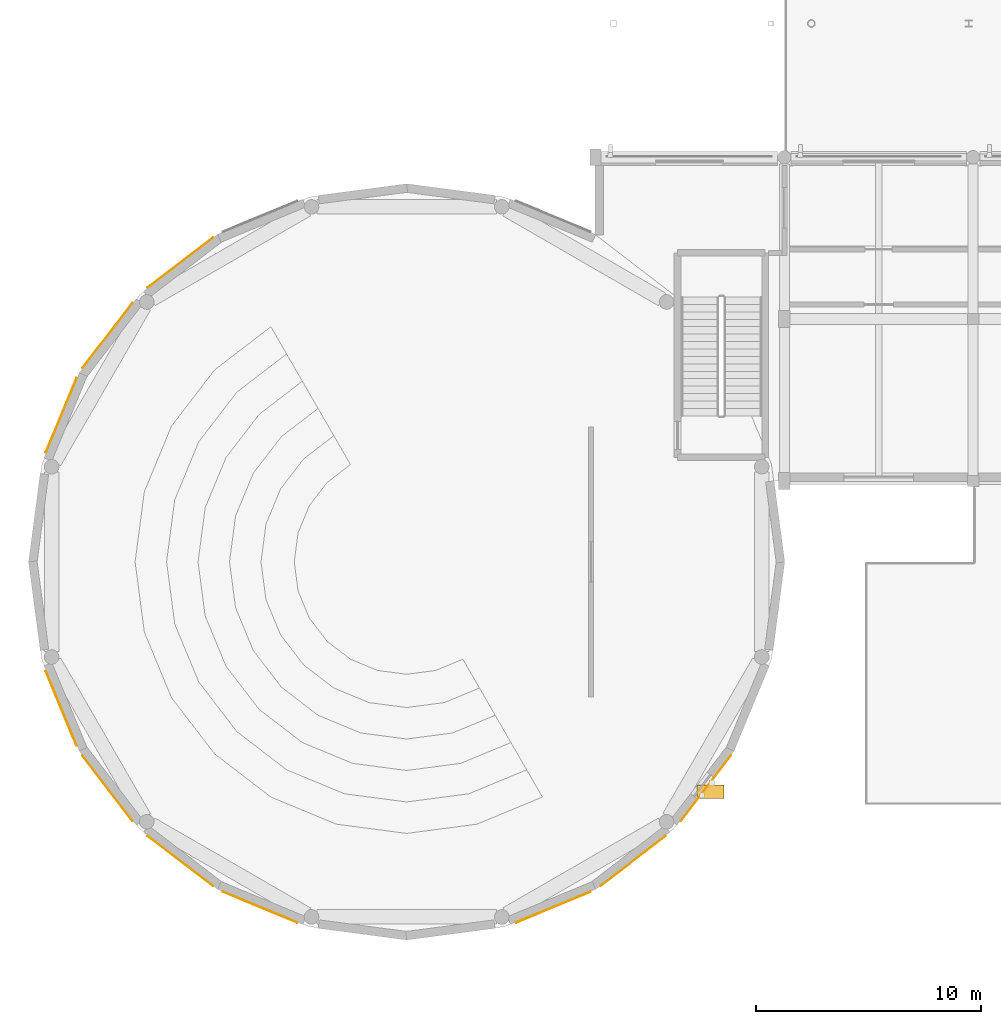
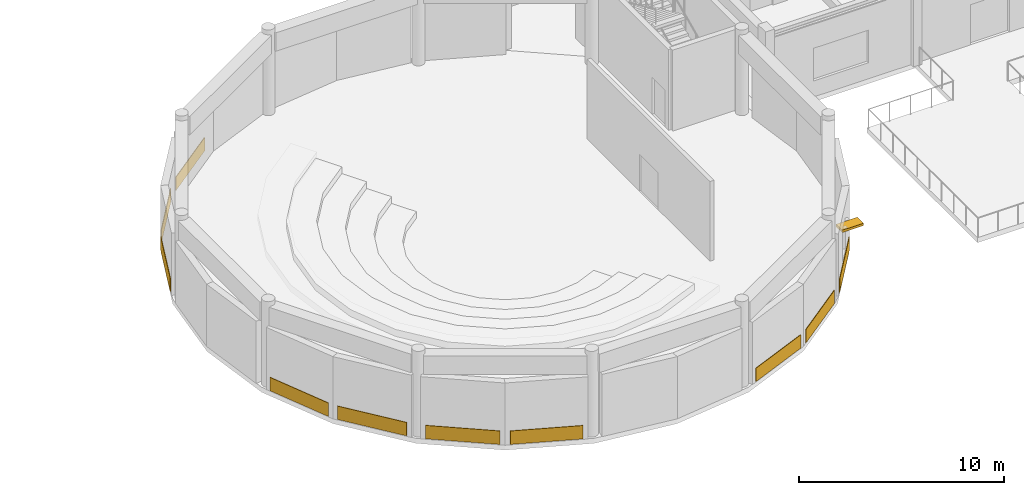
# One storey, part 98 of 121: 10 coverings, 1 shading device.
"""IFC4 building model written with IfcOpenShell, lengths in metres."""

from ifc_helpers import new_model, si_unit, direction, frame, origin, origin_2d, place, context, subcontext, project, spatial, polyline, rectangle, outline, extrude, material, layer, layer_set, type_object, element, save


model = new_model("IFC4")

# Units and contexts
model_context = context("Model", 3, precision=1e-05, world=origin(), true_north=direction((0.0, 1.0)))
body_context = subcontext(model_context, "Body", "Model", "MODEL_VIEW")
ifc_project = project(units=[si_unit("LENGTHUNIT", "METRE"), si_unit("AREAUNIT", "SQUARE_METRE"), si_unit("VOLUMEUNIT", "CUBIC_METRE"), si_unit("PLANEANGLEUNIT", "RADIAN"), si_unit("MASSUNIT", "GRAM", prefix="KILO")], contexts=[model_context])

# Site, building, storey
site_placement = place(None, origin())
site = spatial("IfcSite", under=ifc_project, at=site_placement, CompositionType="ELEMENT")
building_placement = place(site_placement, origin())
building = spatial("IfcBuilding", under=site, at=building_placement, Name="Malvenik Polytechnic", CompositionType="ELEMENT")
storey_placement = place(building_placement, origin())
storey = spatial("IfcBuildingStorey", under=building, at=storey_placement, Name="L00", CompositionType="ELEMENT", Elevation=0.0)

# Coverings
ifc_material_1 = material(Name="Glazed ochre architectural terracotta rainscreen tile 35mm", Category="masonry")
ifc_layer = layer(ifc_material_1, 0.034912109375)
ifc_layer_set = layer_set([ifc_layer], Name="Glazed ochre architectural terracotta rainscreen tile 35mm")
covering_type = type_object("IfcCoveringType", Name="ARC-COV-CLAD-TERR", PredefinedType="CLADDING", material=ifc_layer_set)
covering_1_placement = place(storey_placement, frame((0.0, 0.0, 0.050048828125)))
element("IfcCovering", 1, at=covering_1_placement, inside=storey, type_object=covering_type, Name="Stone Rainscreen Band CL-02 L00 #1", PredefinedType="CLADDING", context=body_context, shape_type="SweptSolid", body=[
    extrude(outline(polyline([(31.209716796875, 9.39208984375), (28.983642578125, 6.490966796875), (29.011474609375, 6.469482421875), (31.237548828125, 9.37060546875), (31.209716796875, 9.39208984375)])), origin(), (0.0, 0.0, 1.0), 0.800048828125),
])
covering_2_placement = place(storey_placement, frame((0.0, 0.0, 0.050048828125)))
element("IfcCovering", 2, at=covering_2_placement, inside=storey, type_object=covering_type, Name="Stone Rainscreen Band CL-02 L00 #2", PredefinedType="CLADDING", context=body_context, shape_type="SweptSolid", body=[
    extrude(outline(polyline([(28.30908203125, 5.81640625), (25.407958984375, 3.59033203125), (25.429443359375, 3.5625), (28.330322265625, 5.78857421875), (28.30908203125, 5.81640625)])), origin(), (0.0, 0.0, 1.0), 0.800048828125),
])
covering_3_placement = place(storey_placement, frame((0.0, 0.0, 0.050048828125)))
element("IfcCovering", 3, at=covering_3_placement, inside=storey, type_object=covering_type, Name="Stone Rainscreen Band CL-02 L00 #3", PredefinedType="CLADDING", context=body_context, shape_type="SweptSolid", body=[
    extrude(outline(polyline([(24.97509765625, 3.34033203125), (21.656982421875, 1.9658203125), (21.67041015625, 1.93359375), (24.988525390625, 3.30810546875), (24.97509765625, 3.34033203125)])), origin(), (0.0, 0.0, 1.0), 0.800048828125),
])
covering_4_placement = place(storey_placement, frame((0.0, 0.0, 0.050048828125)))
element("IfcCovering", 4, at=covering_4_placement, inside=storey, type_object=covering_type, Name="Stone Rainscreen Band CL-02 L00 #4", PredefinedType="CLADDING", context=body_context, shape_type="SweptSolid", body=[
    extrude(outline(polyline([(11.94287109375, 1.9658203125), (8.624755859375, 3.34033203125), (8.611328125, 3.30810546875), (11.929443359375, 1.93359375), (11.94287109375, 1.9658203125)])), origin(), (0.0, 0.0, 1.0), 0.800048828125),
])
covering_5_placement = place(storey_placement, frame((0.0, 0.0, 0.050048828125)))
element("IfcCovering", 5, at=covering_5_placement, inside=storey, type_object=covering_type, Name="Stone Rainscreen Band CL-02 L00 #5", PredefinedType="CLADDING", context=body_context, shape_type="SweptSolid", body=[
    extrude(outline(polyline([(8.19189453125, 3.59033203125), (5.291015625, 5.81640625), (5.26953125, 5.78857421875), (8.170654296875, 3.5625), (8.19189453125, 3.59033203125)])), origin(), (0.0, 0.0, 1.0), 0.800048828125),
])
covering_6_placement = place(storey_placement, frame((0.0, 0.0, 0.050048828125)))
element("IfcCovering", 6, at=covering_6_placement, inside=storey, type_object=covering_type, Name="Stone Rainscreen Band CL-02 L00 #6", PredefinedType="CLADDING", context=body_context, shape_type="SweptSolid", body=[
    extrude(outline(polyline([(4.6162109375, 6.490966796875), (2.390380859375, 9.39208984375), (2.362548828125, 9.37060546875), (4.58837890625, 6.469482421875), (4.6162109375, 6.490966796875)])), origin(), (0.0, 0.0, 1.0), 0.800048828125),
])
covering_7_placement = place(storey_placement, frame((0.0, 0.0, 0.050048828125)))
element("IfcCovering", 7, at=covering_7_placement, inside=storey, type_object=covering_type, Name="Stone Rainscreen Band CL-02 L00 #7", PredefinedType="CLADDING", context=body_context, shape_type="SweptSolid", body=[
    extrude(outline(polyline([(2.140380859375, 9.82470703125), (0.765869140625, 13.142822265625), (0.7333984375, 13.12939453125), (2.10791015625, 9.811279296875), (2.140380859375, 9.82470703125)])), origin(), (0.0, 0.0, 1.0), 0.800048828125),
])
covering_8_placement = place(storey_placement, frame((0.0, 0.0, 0.050048828125)))
element("IfcCovering", 8, at=covering_8_placement, inside=storey, type_object=covering_type, Name="Stone Rainscreen Band CL-02 L00 #8", PredefinedType="CLADDING", context=body_context, shape_type="SweptSolid", body=[
    extrude(outline(polyline([(0.765869140625, 22.857177734375), (2.140380859375, 26.17529296875), (2.10791015625, 26.188720703125), (0.7333984375, 22.87060546875), (0.765869140625, 22.857177734375)])), origin(), (0.0, 0.0, 1.0), 0.800048828125),
])
covering_9_placement = place(storey_placement, frame((0.0, 0.0, 0.050048828125)))
element("IfcCovering", 9, at=covering_9_placement, inside=storey, type_object=covering_type, Name="Stone Rainscreen Band CL-02 L00 #9", PredefinedType="CLADDING", context=body_context, shape_type="SweptSolid", body=[
    extrude(outline(polyline([(2.390380859375, 26.60791015625), (4.6162109375, 29.509033203125), (4.58837890625, 29.530517578125), (2.362548828125, 26.62939453125), (2.390380859375, 26.60791015625)])), origin(), (0.0, 0.0, 1.0), 0.800048828125),
])
covering_10_placement = place(storey_placement, frame((0.0, 0.0, 0.050048828125)))
element("IfcCovering", 10, at=covering_10_placement, inside=storey, type_object=covering_type, Name="Stone Rainscreen Band CL-02 L00 #10", PredefinedType="CLADDING", context=body_context, shape_type="SweptSolid", body=[
    extrude(outline(polyline([(5.291015625, 30.18359375), (8.19189453125, 32.40966796875), (8.170654296875, 32.4375), (5.26953125, 30.21142578125), (5.291015625, 30.18359375)])), origin(), (0.0, 0.0, 1.0), 0.800048828125),
])

# Shading device
ifc_material_2 = material(Name="Extruded anodised aluminium solar brise-soleil louvre", Category="aluminium")
shading_device_type = type_object("IfcShadingDeviceType", Name="ARC-SHD-LOUVRE", PredefinedType="JALOUSIE", material=ifc_material_2)
shading_device_placement = place(storey_placement, frame((30.322021484375, 7.7685546875, 2.76025390625), z_axis=(0.0, 0.0, 1.0), x_axis=(1.0, 0.0, 0.0)))
element("IfcShadingDevice", 11, at=shading_device_placement, inside=storey, type_object=shading_device_type, Name="Solar Brise-Soleil Louvre SH-01 #1", PredefinedType="JALOUSIE", context=body_context, shape_type="SweptSolid", body=[
    extrude(rectangle(XDim=1.199951171875, YDim=0.60009765625, at=origin_2d()), origin(), (0.0, 0.0, 1.0), 0.139892578125),
])

save(model, "model.ifc")
